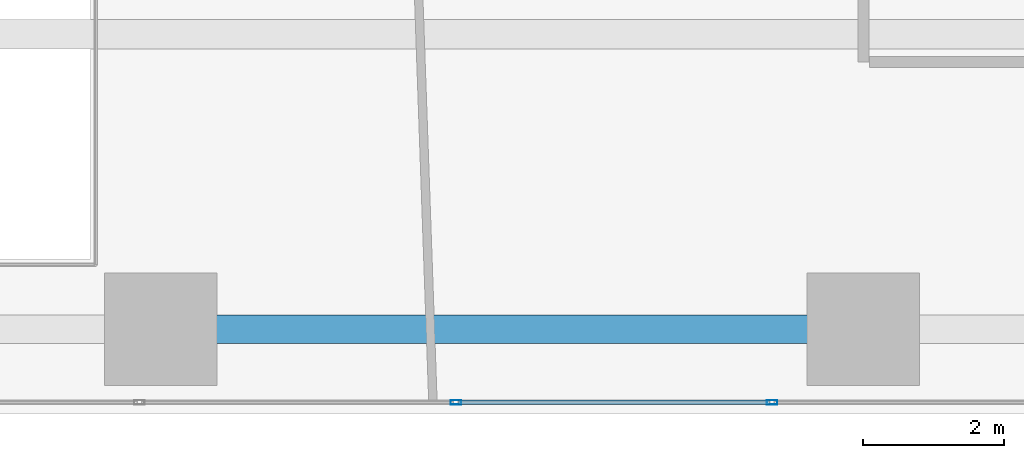
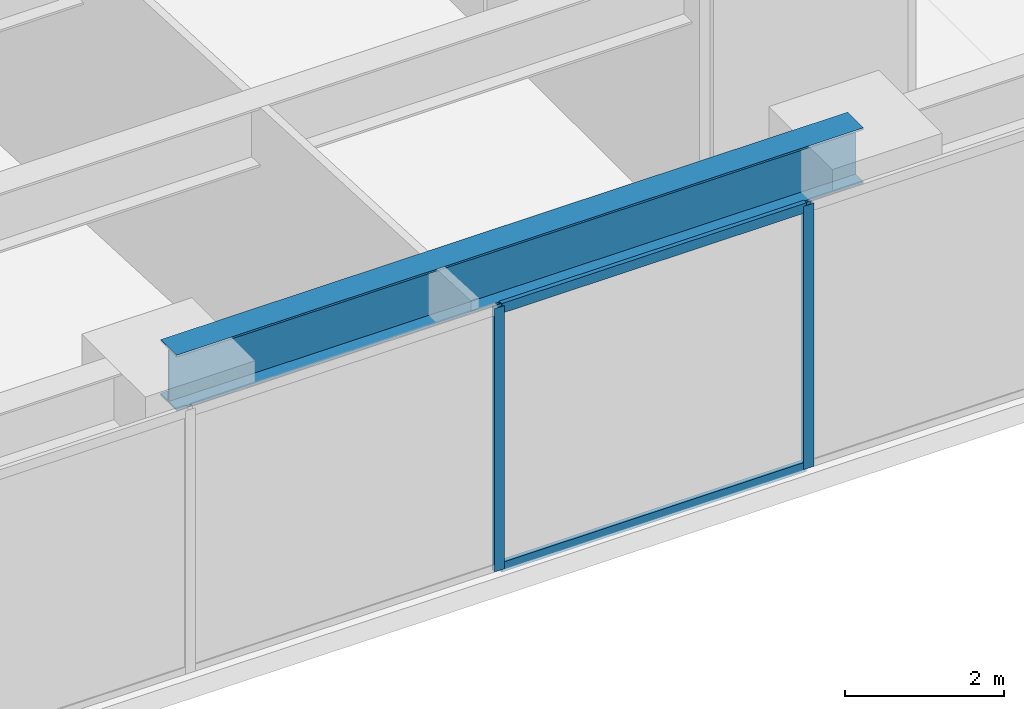
# One storey, part 4 of 25: 4 members, 1 beam, 1 element without a shape of its own.
"""IFC4 building model written with IfcOpenShell, lengths in metres."""

from ifc_helpers import new_model, si_unit, direction, frame, origin, origin_2d, place, context, subcontext, project, spatial, hollow_rectangle, i_section, extrude, source, transform, mapped, material, layer, layer_set, material_profile, profile_set, type_object, type_shapes, element, aggregate, save


model = new_model("IFC4")

# Units and contexts
model_context = context("Model", 3, precision=1e-05, world=origin(), true_north=direction((0.0, 1.0)))
body_context = subcontext(model_context, "Body", "Model", "MODEL_VIEW")
ifc_project = project(units=[si_unit("LENGTHUNIT", "METRE"), si_unit("AREAUNIT", "SQUARE_METRE"), si_unit("VOLUMEUNIT", "CUBIC_METRE"), si_unit("PLANEANGLEUNIT", "RADIAN"), si_unit("MASSUNIT", "GRAM", prefix="KILO")], contexts=[model_context])

# Site, building, storey
site_placement = place(None, origin())
site = spatial("IfcSite", under=ifc_project, at=site_placement, CompositionType="ELEMENT")
building_placement = place(site_placement, origin())
building = spatial("IfcBuilding", under=site, at=building_placement, Name="Talar Marvaseh", CompositionType="ELEMENT")
storey_placement = place(building_placement, frame((0.0, 0.0, 14.39990234375)))
storey = spatial("IfcBuildingStorey", under=building, at=storey_placement, Name="L03", CompositionType="ELEMENT", Elevation=14.39990234375)

# Beam
ifc_material_1 = material(Name="Steel S355", Category="steel")
ifc_material_profile_1 = material_profile(ifc_material_1, i_section(OverallWidth=0.39990234375, OverallDepth=0.85498046875, WebThickness=0.018310546875, FlangeThickness=0.029296875, at=origin_2d()), Name="W840x299")
ifc_profile_set_1 = profile_set([ifc_material_profile_1], Name="Steel S355")
beam_type = type_object("IfcBeamType", Name="Concourse Primary Girder W840x299", PredefinedType="BEAM", material=ifc_profile_set_1)
beam_placement = place(storey_placement, frame((22.800048828125, 9.199951171875, 3.822509765625), z_axis=(1.0, 0.0, 0.0), x_axis=(0.0, 1.0, 0.0)))
element("IfcBeam", 1, at=beam_placement, inside=storey, type_object=beam_type, Name="L03 Concourse Primary Girder W840x299", PredefinedType="BEAM", context=body_context, shape_type="SweptSolid", body=[
    extrude(i_section(OverallWidth=0.39990234375, OverallDepth=0.85498046875, WebThickness=0.018310546875, FlangeThickness=0.029296875, at=origin_2d()), origin(), (0.0, 0.0, 1.0), 10.0),
])

# Curtain wall, members
ifc_material_2 = material(Name="Architectural Aluminium", Category="aluminium")
ifc_layer = layer(ifc_material_2, 0.25)
ifc_layer_set = layer_set([ifc_layer], Name="Architectural Aluminium")
curtain_wall_type = type_object("IfcCurtainWallType", Name="Station Podium Monumental Iwan Curtain Wall", PredefinedType="NOTDEFINED", material=ifc_layer_set)
curtain_wall_placement = place(storey_placement, origin())
curtain_wall = element("IfcCurtainWall", 2, at=curtain_wall_placement, inside=storey, type_object=curtain_wall_type, Name="L03 Station Podium Monumental Iwan Curtain Wall", PredefinedType="NOTDEFINED")
ifc_material_profile_2 = material_profile(ifc_material_2, hollow_rectangle(XDim=0.06494140625, YDim=0.14990234375, WallThickness=0.00390625, at=origin_2d()), Name="RHS150x65x4")
ifc_profile_set_2 = profile_set([ifc_material_profile_2], Name="Architectural Aluminium")
member_type_1 = type_object("IfcMemberType", Name="Unitised Curtain Wall Slim Transom RHS150x65x4", PredefinedType="USERDEFINED", material=ifc_profile_set_2)
shared_shape_1 = source(origin(), body_context, "Body", "SweptSolid", [
    extrude(hollow_rectangle(XDim=0.06494140625, YDim=0.14990234375, WallThickness=0.00390625, at=origin_2d()), origin(), (0.0, 0.0, 1.0), 4.43505859375),
])
type_shapes(member_type_1, [shared_shape_1])
member_1_placement = place(storey_placement, frame((31.467529296875, 8.159912109375, 0.03271484375), z_axis=(-1.0, 0.0, 0.0), x_axis=(0.0, -1.0, 0.0)))
member_1 = element("IfcMember", 3, at=member_1_placement, type_object=member_type_1, Name="CW-POD transom 2.1", ObjectType="TRANSOM", PredefinedType="USERDEFINED", context=body_context, shape_type="MappedRepresentation", body=[
    mapped(shared_shape_1, transform((0.0, 0.0, 0.0), x_axis=(1.0, 0.0, 0.0), y_axis=(0.0, 1.0, 0.0), z_axis=(0.0, 0.0, 1.0), scale=1.0)),
])
member_2_placement = place(storey_placement, frame((31.467529296875, 8.159912109375, 4.017578125), z_axis=(-1.0, 0.0, 0.0), x_axis=(0.0, -1.0, 0.0)))
member_2 = element("IfcMember", 4, at=member_2_placement, type_object=member_type_1, Name="CW-POD transom 2.2", ObjectType="TRANSOM", PredefinedType="USERDEFINED", context=body_context, shape_type="MappedRepresentation", body=[
    mapped(shared_shape_1, transform((0.0, 0.0, 0.0), x_axis=(1.0, 0.0, 0.0), y_axis=(0.0, 1.0, 0.0), z_axis=(0.0, 0.0, 1.0), scale=1.0)),
])
ifc_material_profile_3 = material_profile(ifc_material_2, hollow_rectangle(XDim=0.06494140625, YDim=0.14990234375, WallThickness=0.00390625, at=origin_2d()), Name="RHS150x65x4")
ifc_profile_set_3 = profile_set([ifc_material_profile_3], Name="Architectural Aluminium")
member_type_2 = type_object("IfcMemberType", Name="Unitised Curtain Wall Slim Mullion RHS150x65x4", PredefinedType="MULLION", material=ifc_profile_set_3)
shared_shape_2 = source(origin(), body_context, "Body", "SweptSolid", [
    extrude(hollow_rectangle(XDim=0.06494140625, YDim=0.14990234375, WallThickness=0.00390625, at=origin_2d()), origin(), (0.0, 0.0, 1.0), 4.050048828125),
])
type_shapes(member_type_2, [shared_shape_2])
member_3_placement = place(storey_placement, frame((31.5, 8.159912109375, 0.0), z_axis=(0.0, 0.0, 1.0), x_axis=(0.0, -1.0, 0.0)))
member_3 = element("IfcMember", 5, at=member_3_placement, type_object=member_type_2, Name="CW-POD mullion 2", PredefinedType="MULLION", context=body_context, shape_type="MappedRepresentation", body=[
    mapped(shared_shape_2, transform((0.0, 0.0, 0.0), x_axis=(1.0, 0.0, 0.0), y_axis=(0.0, 1.0, 0.0), z_axis=(0.0, 0.0, 1.0), scale=1.0)),
])
member_4_placement = place(storey_placement, frame((27.0, 8.159912109375, 0.0), z_axis=(0.0, 0.0, 1.0), x_axis=(0.0, -1.0, 0.0)))
member_4 = element("IfcMember", 6, at=member_4_placement, type_object=member_type_2, Name="CW-POD mullion 3", PredefinedType="MULLION", context=body_context, shape_type="MappedRepresentation", body=[
    mapped(shared_shape_2, transform((0.0, 0.0, 0.0), x_axis=(1.0, 0.0, 0.0), y_axis=(0.0, 1.0, 0.0), z_axis=(0.0, 0.0, 1.0), scale=1.0)),
])
aggregate(curtain_wall, [member_3, member_4, member_1, member_2])

save(model, "model.ifc")
